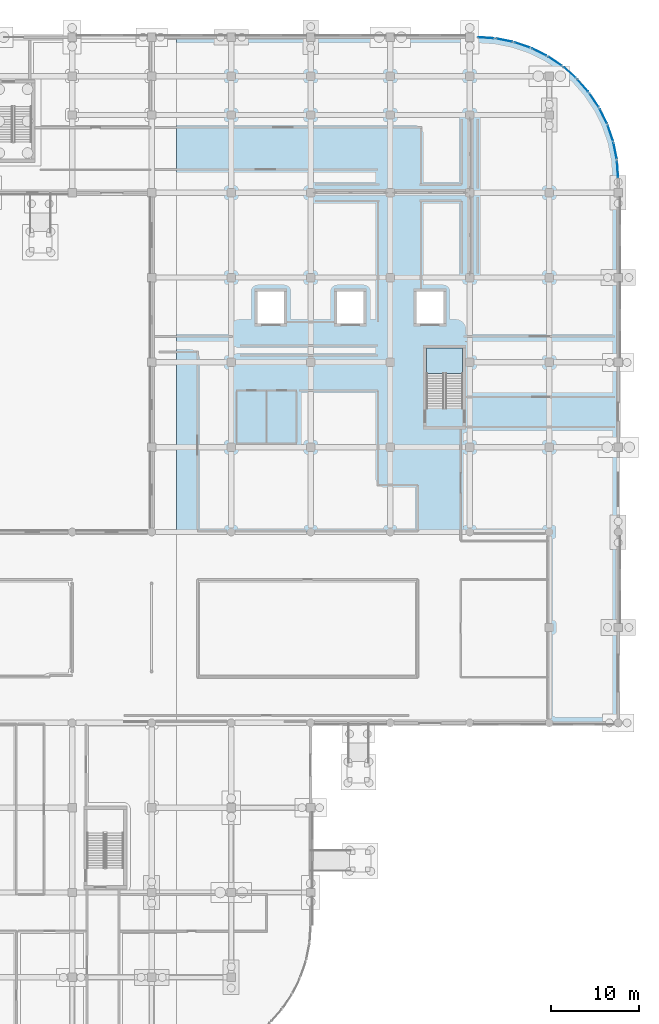
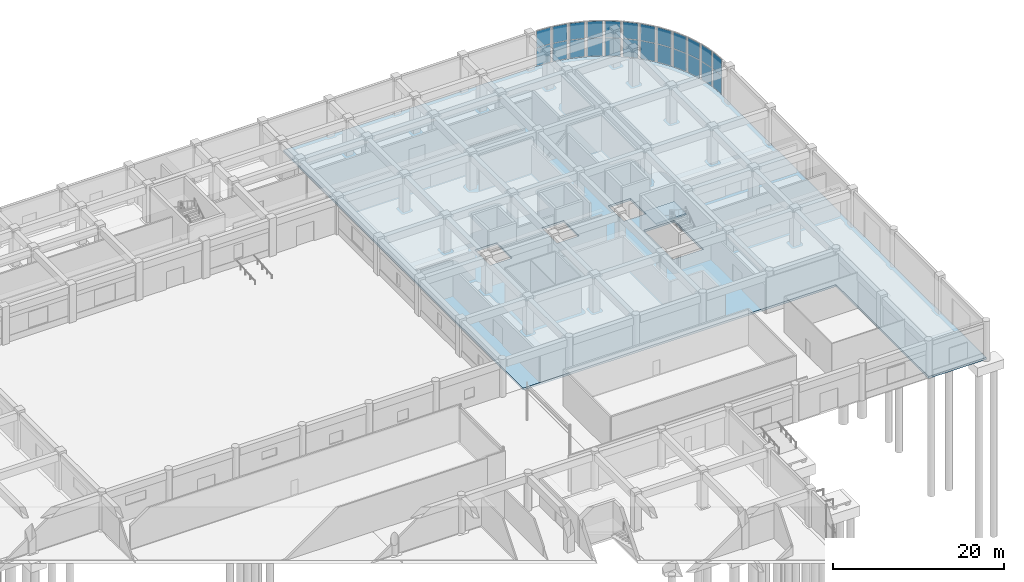
# One storey, part 24 of 74: 24 plates, 2 slabs, 13 elements without a shape of their own.
"""IFC4 building model written with IfcOpenShell, lengths in metres."""

from ifc_helpers import new_model, si_unit, direction, frame, origin, origin_2d, place, context, subcontext, project, spatial, polyline, rectangle, outline, extrude, material, layer, layer_set, type_object, element, aggregate, save


model = new_model("IFC4")

# Units and contexts
model_context = context("Model", 3, precision=1e-05, world=origin(), true_north=direction((0.0, 1.0)))
body_context = subcontext(model_context, "Body", "Model", "MODEL_VIEW")
ifc_project = project(units=[si_unit("LENGTHUNIT", "METRE"), si_unit("AREAUNIT", "SQUARE_METRE"), si_unit("VOLUMEUNIT", "CUBIC_METRE"), si_unit("PLANEANGLEUNIT", "RADIAN"), si_unit("MASSUNIT", "GRAM", prefix="KILO")], contexts=[model_context])

# Site, building, storey
site_placement = place(None, origin())
site = spatial("IfcSite", under=ifc_project, at=site_placement, CompositionType="ELEMENT")
building_placement = place(site_placement, origin())
building = spatial("IfcBuilding", under=site, at=building_placement, Name="Cendralis Terraced Arcade", CompositionType="ELEMENT")
storey_placement = place(building_placement, origin())
storey = spatial("IfcBuildingStorey", under=building, at=storey_placement, Name="L00", CompositionType="ELEMENT", Elevation=0.0)

# Curtain wall, plates
ifc_material_1 = material(Name="Anodised aluminium EN AW-6063 T6", Category="aluminium")
ifc_layer_1 = layer(ifc_material_1, 0.179931640625, Name="CW-UNIT-A")
ifc_layer_set_1 = layer_set([ifc_layer_1], Name="Anodised aluminium EN AW-6063 T6")
curtain_wall_type = type_object("IfcCurtainWallType", Name="CW-UNIT-A", PredefinedType="USERDEFINED", material=ifc_layer_set_1)
curtain_wall_1_placement = place(storey_placement, origin())
curtain_wall_1 = element("IfcCurtainWall", 1, at=curtain_wall_1_placement, inside=storey, type_object=curtain_wall_type, Name="Exterior Unitised Facade CW-L00-0025", ObjectType="UNITISED FACADE", PredefinedType="USERDEFINED")
ifc_material_2 = material(Name="Tempered solar control laminated glass", Category="glass")
ifc_layer_2 = layer(ifc_material_2, 0.035888671875, Name="CW-UNIT-A-PNL")
ifc_layer_set_2 = layer_set([ifc_layer_2], Name="Tempered solar control laminated glass")
plate_type = type_object("IfcPlateType", Name="CW-UNIT-A-PNL", PredefinedType="CURTAIN_PANEL", material=ifc_layer_set_2)
plate_1_placement = place(storey_placement, frame((159.044189453125, 115.931640625, 0.06494140625), z_axis=(0.0, 0.0, 1.0), x_axis=(0.997859242629, -0.065398256097, 0.0)))
plate_1 = element("IfcPlate", 2, at=plate_1_placement, type_object=plate_type, Name="CW-U1 panel 1.1", PredefinedType="CURTAIN_PANEL", context=body_context, shape_type="SweptSolid", body=[
    extrude(rectangle(XDim=1.782958984375, YDim=0.035888671875, at=origin_2d()), origin(), (0.0, 0.0, 1.0), 2.54931640625),
])
plate_2_placement = place(storey_placement, frame((159.044189453125, 115.931640625, 2.67919921875), z_axis=(0.0, 0.0, 1.0), x_axis=(0.997859242629, -0.065398256097, 0.0)))
plate_2 = element("IfcPlate", 3, at=plate_2_placement, type_object=plate_type, Name="CW-U1 panel 1.2", PredefinedType="CURTAIN_PANEL", context=body_context, shape_type="SweptSolid", body=[
    extrude(rectangle(XDim=1.782958984375, YDim=0.035888671875, at=origin_2d()), origin(), (0.0, 0.0, 1.0), 2.345703125),
])
aggregate(curtain_wall_1, [plate_1, plate_2])

curtain_wall_2_placement = place(storey_placement, origin())
curtain_wall_2 = element("IfcCurtainWall", 4, at=curtain_wall_2_placement, inside=storey, type_object=curtain_wall_type, Name="Exterior Unitised Facade CW-L00-0026", ObjectType="UNITISED FACADE", PredefinedType="USERDEFINED")
plate_3_placement = place(storey_placement, frame((161.11474609375, 115.658935546875, 0.06494140625), z_axis=(0.0, 0.0, 1.0), x_axis=(0.980793231232, -0.195050346244, 0.0)))
plate_3 = element("IfcPlate", 5, at=plate_3_placement, type_object=plate_type, Name="CW-U1 panel 1.1", PredefinedType="CURTAIN_PANEL", context=body_context, shape_type="SweptSolid", body=[
    extrude(rectangle(XDim=1.782958984375, YDim=0.035888671875, at=origin_2d()), origin(), (0.0, 0.0, 1.0), 2.54931640625),
])
plate_4_placement = place(storey_placement, frame((161.11474609375, 115.658935546875, 2.67919921875), z_axis=(0.0, 0.0, 1.0), x_axis=(0.980793231232, -0.195050346244, 0.0)))
plate_4 = element("IfcPlate", 6, at=plate_4_placement, type_object=plate_type, Name="CW-U1 panel 1.2", PredefinedType="CURTAIN_PANEL", context=body_context, shape_type="SweptSolid", body=[
    extrude(rectangle(XDim=1.782958984375, YDim=0.035888671875, at=origin_2d()), origin(), (0.0, 0.0, 1.0), 2.345703125),
])
aggregate(curtain_wall_2, [plate_3, plate_4])

curtain_wall_3_placement = place(storey_placement, origin())
curtain_wall_3 = element("IfcCurtainWall", 7, at=curtain_wall_3_placement, inside=storey, type_object=curtain_wall_type, Name="Exterior Unitised Facade CW-L00-0027", ObjectType="UNITISED FACADE", PredefinedType="USERDEFINED")
plate_5_placement = place(storey_placement, frame((163.132080078125, 115.118408203125, 0.06494140625), z_axis=(0.0, 0.0, 1.0), x_axis=(0.94692813167, -0.321445350645, 0.0)))
plate_5 = element("IfcPlate", 8, at=plate_5_placement, type_object=plate_type, Name="CW-U1 panel 1.1", PredefinedType="CURTAIN_PANEL", context=body_context, shape_type="SweptSolid", body=[
    extrude(rectangle(XDim=1.782958984375, YDim=0.035888671875, at=origin_2d()), origin(), (0.0, 0.0, 1.0), 2.54931640625),
])
plate_6_placement = place(storey_placement, frame((163.132080078125, 115.118408203125, 2.67919921875), z_axis=(0.0, 0.0, 1.0), x_axis=(0.94692813167, -0.321445350645, 0.0)))
plate_6 = element("IfcPlate", 9, at=plate_6_placement, type_object=plate_type, Name="CW-U1 panel 1.2", PredefinedType="CURTAIN_PANEL", context=body_context, shape_type="SweptSolid", body=[
    extrude(rectangle(XDim=1.782958984375, YDim=0.035888671875, at=origin_2d()), origin(), (0.0, 0.0, 1.0), 2.345703125),
])
aggregate(curtain_wall_3, [plate_5, plate_6])

curtain_wall_4_placement = place(storey_placement, origin())
curtain_wall_4 = element("IfcCurtainWall", 10, at=curtain_wall_4_placement, inside=storey, type_object=curtain_wall_type, Name="Exterior Unitised Facade CW-L00-0028", ObjectType="UNITISED FACADE", PredefinedType="USERDEFINED")
plate_7_placement = place(storey_placement, frame((165.0615234375, 114.3193359375, 0.06494140625), z_axis=(0.0, 0.0, 1.0), x_axis=(0.896870586522, -0.442293060122, 0.0)))
plate_7 = element("IfcPlate", 11, at=plate_7_placement, type_object=plate_type, Name="CW-U1 panel 1.1", PredefinedType="CURTAIN_PANEL", context=body_context, shape_type="SweptSolid", body=[
    extrude(rectangle(XDim=1.782958984375, YDim=0.035888671875, at=origin_2d()), origin(), (0.0, 0.0, 1.0), 2.54931640625),
])
plate_8_placement = place(storey_placement, frame((165.0615234375, 114.3193359375, 2.67919921875), z_axis=(0.0, 0.0, 1.0), x_axis=(0.896870586522, -0.442293060122, 0.0)))
plate_8 = element("IfcPlate", 12, at=plate_8_placement, type_object=plate_type, Name="CW-U1 panel 1.2", PredefinedType="CURTAIN_PANEL", context=body_context, shape_type="SweptSolid", body=[
    extrude(rectangle(XDim=1.782958984375, YDim=0.035888671875, at=origin_2d()), origin(), (0.0, 0.0, 1.0), 2.345703125),
])
aggregate(curtain_wall_4, [plate_7, plate_8])

curtain_wall_5_placement = place(storey_placement, origin())
curtain_wall_5 = element("IfcCurtainWall", 13, at=curtain_wall_5_placement, inside=storey, type_object=curtain_wall_type, Name="Exterior Unitised Facade CW-L00-0029", ObjectType="UNITISED FACADE", PredefinedType="USERDEFINED")
plate_9_placement = place(storey_placement, frame((166.8701171875, 113.275146484375, 0.06494140625), z_axis=(0.0, 0.0, 1.0), x_axis=(0.831494952872, -0.555532306305, 0.0)))
plate_9 = element("IfcPlate", 14, at=plate_9_placement, type_object=plate_type, Name="CW-U1 panel 1.1", PredefinedType="CURTAIN_PANEL", context=body_context, shape_type="SweptSolid", body=[
    extrude(rectangle(XDim=1.782958984375, YDim=0.035888671875, at=origin_2d()), origin(), (0.0, 0.0, 1.0), 2.54931640625),
])
plate_10_placement = place(storey_placement, frame((166.8701171875, 113.275146484375, 2.67919921875), z_axis=(0.0, 0.0, 1.0), x_axis=(0.831494952872, -0.555532306305, 0.0)))
plate_10 = element("IfcPlate", 15, at=plate_10_placement, type_object=plate_type, Name="CW-U1 panel 1.2", PredefinedType="CURTAIN_PANEL", context=body_context, shape_type="SweptSolid", body=[
    extrude(rectangle(XDim=1.782958984375, YDim=0.035888671875, at=origin_2d()), origin(), (0.0, 0.0, 1.0), 2.345703125),
])
aggregate(curtain_wall_5, [plate_9, plate_10])

curtain_wall_6_placement = place(storey_placement, origin())
curtain_wall_6 = element("IfcCurtainWall", 16, at=curtain_wall_6_placement, inside=storey, type_object=curtain_wall_type, Name="Exterior Unitised Facade CW-L00-0030", ObjectType="UNITISED FACADE", PredefinedType="USERDEFINED")
plate_11_placement = place(storey_placement, frame((168.52685546875, 112.003662109375, 0.06494140625), z_axis=(0.0, 0.0, 1.0), x_axis=(0.751782754392, -0.659410866, 0.0)))
plate_11 = element("IfcPlate", 17, at=plate_11_placement, type_object=plate_type, Name="CW-U1 panel 1.1", PredefinedType="CURTAIN_PANEL", context=body_context, shape_type="SweptSolid", body=[
    extrude(rectangle(XDim=1.782958984375, YDim=0.035888671875, at=origin_2d()), origin(), (0.0, 0.0, 1.0), 2.54931640625),
])
plate_12_placement = place(storey_placement, frame((168.52685546875, 112.003662109375, 2.67919921875), z_axis=(0.0, 0.0, 1.0), x_axis=(0.751782754392, -0.659410866, 0.0)))
plate_12 = element("IfcPlate", 18, at=plate_12_placement, type_object=plate_type, Name="CW-U1 panel 1.2", PredefinedType="CURTAIN_PANEL", context=body_context, shape_type="SweptSolid", body=[
    extrude(rectangle(XDim=1.782958984375, YDim=0.035888671875, at=origin_2d()), origin(), (0.0, 0.0, 1.0), 2.345703125),
])
aggregate(curtain_wall_6, [plate_11, plate_12])

curtain_wall_7_placement = place(storey_placement, origin())
curtain_wall_7 = element("IfcCurtainWall", 19, at=curtain_wall_7_placement, inside=storey, type_object=curtain_wall_type, Name="Exterior Unitised Facade CW-L00-0031", ObjectType="UNITISED FACADE", PredefinedType="USERDEFINED")
plate_13_placement = place(storey_placement, frame((170.003662109375, 110.52685546875, 0.06494140625), z_axis=(0.0, 0.0, 1.0), x_axis=(0.659410866, -0.751782754392, 0.0)))
plate_13 = element("IfcPlate", 20, at=plate_13_placement, type_object=plate_type, Name="CW-U1 panel 1.1", PredefinedType="CURTAIN_PANEL", context=body_context, shape_type="SweptSolid", body=[
    extrude(rectangle(XDim=1.782958984375, YDim=0.035888671875, at=origin_2d()), origin(), (0.0, 0.0, 1.0), 2.54931640625),
])
plate_14_placement = place(storey_placement, frame((170.003662109375, 110.52685546875, 2.67919921875), z_axis=(0.0, 0.0, 1.0), x_axis=(0.659410866, -0.751782754392, 0.0)))
plate_14 = element("IfcPlate", 21, at=plate_14_placement, type_object=plate_type, Name="CW-U1 panel 1.2", PredefinedType="CURTAIN_PANEL", context=body_context, shape_type="SweptSolid", body=[
    extrude(rectangle(XDim=1.782958984375, YDim=0.035888671875, at=origin_2d()), origin(), (0.0, 0.0, 1.0), 2.345703125),
])
aggregate(curtain_wall_7, [plate_13, plate_14])

curtain_wall_8_placement = place(storey_placement, origin())
curtain_wall_8 = element("IfcCurtainWall", 22, at=curtain_wall_8_placement, inside=storey, type_object=curtain_wall_type, Name="Exterior Unitised Facade CW-L00-0032", ObjectType="UNITISED FACADE", PredefinedType="USERDEFINED")
plate_15_placement = place(storey_placement, frame((171.275146484375, 108.8701171875, 0.06494140625), z_axis=(0.0, 0.0, 1.0), x_axis=(0.555532306305, -0.831494952872, 0.0)))
plate_15 = element("IfcPlate", 23, at=plate_15_placement, type_object=plate_type, Name="CW-U1 panel 1.1", PredefinedType="CURTAIN_PANEL", context=body_context, shape_type="SweptSolid", body=[
    extrude(rectangle(XDim=1.782958984375, YDim=0.035888671875, at=origin_2d()), origin(), (0.0, 0.0, 1.0), 2.54931640625),
])
plate_16_placement = place(storey_placement, frame((171.275146484375, 108.8701171875, 2.67919921875), z_axis=(0.0, 0.0, 1.0), x_axis=(0.555532306305, -0.831494952872, 0.0)))
plate_16 = element("IfcPlate", 24, at=plate_16_placement, type_object=plate_type, Name="CW-U1 panel 1.2", PredefinedType="CURTAIN_PANEL", context=body_context, shape_type="SweptSolid", body=[
    extrude(rectangle(XDim=1.782958984375, YDim=0.035888671875, at=origin_2d()), origin(), (0.0, 0.0, 1.0), 2.345703125),
])
aggregate(curtain_wall_8, [plate_15, plate_16])

curtain_wall_9_placement = place(storey_placement, origin())
curtain_wall_9 = element("IfcCurtainWall", 25, at=curtain_wall_9_placement, inside=storey, type_object=curtain_wall_type, Name="Exterior Unitised Facade CW-L00-0033", ObjectType="UNITISED FACADE", PredefinedType="USERDEFINED")
plate_17_placement = place(storey_placement, frame((172.3193359375, 107.0615234375, 0.06494140625), z_axis=(0.0, 0.0, 1.0), x_axis=(0.442293060122, -0.896870586522, 0.0)))
plate_17 = element("IfcPlate", 26, at=plate_17_placement, type_object=plate_type, Name="CW-U1 panel 1.1", PredefinedType="CURTAIN_PANEL", context=body_context, shape_type="SweptSolid", body=[
    extrude(rectangle(XDim=1.782958984375, YDim=0.035888671875, at=origin_2d()), origin(), (0.0, 0.0, 1.0), 2.54931640625),
])
plate_18_placement = place(storey_placement, frame((172.3193359375, 107.0615234375, 2.67919921875), z_axis=(0.0, 0.0, 1.0), x_axis=(0.442293060122, -0.896870586522, 0.0)))
plate_18 = element("IfcPlate", 27, at=plate_18_placement, type_object=plate_type, Name="CW-U1 panel 1.2", PredefinedType="CURTAIN_PANEL", context=body_context, shape_type="SweptSolid", body=[
    extrude(rectangle(XDim=1.782958984375, YDim=0.035888671875, at=origin_2d()), origin(), (0.0, 0.0, 1.0), 2.345703125),
])
aggregate(curtain_wall_9, [plate_17, plate_18])

curtain_wall_10_placement = place(storey_placement, origin())
curtain_wall_10 = element("IfcCurtainWall", 28, at=curtain_wall_10_placement, inside=storey, type_object=curtain_wall_type, Name="Exterior Unitised Facade CW-L00-0034", ObjectType="UNITISED FACADE", PredefinedType="USERDEFINED")
plate_19_placement = place(storey_placement, frame((173.118408203125, 105.132080078125, 0.06494140625), z_axis=(0.0, 0.0, 1.0), x_axis=(0.321445350645, -0.94692813167, 0.0)))
plate_19 = element("IfcPlate", 29, at=plate_19_placement, type_object=plate_type, Name="CW-U1 panel 1.1", PredefinedType="CURTAIN_PANEL", context=body_context, shape_type="SweptSolid", body=[
    extrude(rectangle(XDim=1.782958984375, YDim=0.035888671875, at=origin_2d()), origin(), (0.0, 0.0, 1.0), 2.54931640625),
])
plate_20_placement = place(storey_placement, frame((173.118408203125, 105.132080078125, 2.67919921875), z_axis=(0.0, 0.0, 1.0), x_axis=(0.321445350645, -0.94692813167, 0.0)))
plate_20 = element("IfcPlate", 30, at=plate_20_placement, type_object=plate_type, Name="CW-U1 panel 1.2", PredefinedType="CURTAIN_PANEL", context=body_context, shape_type="SweptSolid", body=[
    extrude(rectangle(XDim=1.782958984375, YDim=0.035888671875, at=origin_2d()), origin(), (0.0, 0.0, 1.0), 2.345703125),
])
aggregate(curtain_wall_10, [plate_19, plate_20])

curtain_wall_11_placement = place(storey_placement, origin())
curtain_wall_11 = element("IfcCurtainWall", 31, at=curtain_wall_11_placement, inside=storey, type_object=curtain_wall_type, Name="Exterior Unitised Facade CW-L00-0035", ObjectType="UNITISED FACADE", PredefinedType="USERDEFINED")
plate_21_placement = place(storey_placement, frame((173.658935546875, 103.11474609375, 0.06494140625), z_axis=(0.0, 0.0, 1.0), x_axis=(0.195050346244, -0.980793231232, 0.0)))
plate_21 = element("IfcPlate", 32, at=plate_21_placement, type_object=plate_type, Name="CW-U1 panel 1.1", PredefinedType="CURTAIN_PANEL", context=body_context, shape_type="SweptSolid", body=[
    extrude(rectangle(XDim=1.782958984375, YDim=0.035888671875, at=origin_2d()), origin(), (0.0, 0.0, 1.0), 2.54931640625),
])
plate_22_placement = place(storey_placement, frame((173.658935546875, 103.11474609375, 2.67919921875), z_axis=(0.0, 0.0, 1.0), x_axis=(0.195050346244, -0.980793231232, 0.0)))
plate_22 = element("IfcPlate", 33, at=plate_22_placement, type_object=plate_type, Name="CW-U1 panel 1.2", PredefinedType="CURTAIN_PANEL", context=body_context, shape_type="SweptSolid", body=[
    extrude(rectangle(XDim=1.782958984375, YDim=0.035888671875, at=origin_2d()), origin(), (0.0, 0.0, 1.0), 2.345703125),
])
aggregate(curtain_wall_11, [plate_21, plate_22])

curtain_wall_12_placement = place(storey_placement, origin())
curtain_wall_12 = element("IfcCurtainWall", 34, at=curtain_wall_12_placement, inside=storey, type_object=curtain_wall_type, Name="Exterior Unitised Facade CW-L00-0036", ObjectType="UNITISED FACADE", PredefinedType="USERDEFINED")
plate_23_placement = place(storey_placement, frame((173.931640625, 101.044189453125, 0.06494140625), z_axis=(0.0, 0.0, 1.0), x_axis=(0.065398256097, -0.997859242629, 0.0)))
plate_23 = element("IfcPlate", 35, at=plate_23_placement, type_object=plate_type, Name="CW-U1 panel 1.1", PredefinedType="CURTAIN_PANEL", context=body_context, shape_type="SweptSolid", body=[
    extrude(rectangle(XDim=1.782958984375, YDim=0.035888671875, at=origin_2d()), origin(), (0.0, 0.0, 1.0), 2.54931640625),
])
plate_24_placement = place(storey_placement, frame((173.931640625, 101.044189453125, 2.67919921875), z_axis=(0.0, 0.0, 1.0), x_axis=(0.065398256097, -0.997859242629, 0.0)))
plate_24 = element("IfcPlate", 36, at=plate_24_placement, type_object=plate_type, Name="CW-U1 panel 1.2", PredefinedType="CURTAIN_PANEL", context=body_context, shape_type="SweptSolid", body=[
    extrude(rectangle(XDim=1.782958984375, YDim=0.035888671875, at=origin_2d()), origin(), (0.0, 0.0, 1.0), 2.345703125),
])
aggregate(curtain_wall_12, [plate_23, plate_24])

# Slab
ifc_material_3 = material(Name="Concrete f'c 35 MPa", Category="concrete")
ifc_layer_3 = layer(ifc_material_3, 0.300048828125, Name="SLB-L00-300")
ifc_layer_set_3 = layer_set([ifc_layer_3], Name="Concrete f'c 35 MPa")
slab_type_1 = type_object("IfcSlabType", Name="SLB-L00-300", PredefinedType="FLOOR", material=ifc_layer_set_3)
slab_1_placement = place(storey_placement, frame((0.0, 0.0, -0.300048828125)))
element("IfcSlab", 37, at=slab_1_placement, inside=storey, type_object=slab_type_1, Name="Reinforced Concrete Floor Slab SLB-L00-V5-E1-1", PredefinedType="FLOOR", context=body_context, shape_type="SweptSolid", body=[
    extrude(outline(polyline([(158.0, 116.0), (160.08837890625, 115.863037109375), (162.14111328125, 115.454833984375), (164.122802734375, 114.781982421875), (166.0, 113.8564453125), (167.740234375, 112.693603515625), (169.313720703125, 111.313720703125), (170.693603515625, 109.740234375), (171.8564453125, 108.0), (172.781982421875, 106.122802734375), (173.454833984375, 104.14111328125), (173.863037109375, 102.08837890625), (174.0, 100.0), (174.0, 38.39990234375), (166.219970703125, 38.39990234375), (166.219970703125, 60.02001953125), (124.02001953125, 60.02001953125), (124.02001953125, 116.0), (158.0, 116.0)]), holes=[polyline([(152.300048828125, 80.800048828125), (152.300048828125, 73.97998046875), (156.39990234375, 73.97998046875), (156.39990234375, 80.800048828125), (152.300048828125, 80.800048828125)]), polyline([(133.199951171875, 87.199951171875), (133.199951171875, 83.60009765625), (136.199951171875, 83.60009765625), (136.199951171875, 87.199951171875), (133.199951171875, 87.199951171875)]), polyline([(145.199951171875, 87.199951171875), (142.199951171875, 87.199951171875), (142.199951171875, 83.60009765625), (145.199951171875, 83.60009765625), (145.199951171875, 87.199951171875)]), polyline([(154.199951171875, 87.199951171875), (151.199951171875, 87.199951171875), (151.199951171875, 83.60009765625), (154.199951171875, 83.60009765625), (154.199951171875, 87.199951171875)])]), origin(), (0.0, 0.0, 1.0), 0.300048828125),
])

# Stair, slab
stair_type = type_object("IfcStairType", Name="STR-W195-H480", PredefinedType="HALF_TURN_STAIR", material=ifc_material_3)
stair_placement = place(storey_placement, origin())
stair = element("IfcStair", 38, at=stair_placement, inside=storey, type_object=stair_type, Name="L00 Protected Exit Stair ST-06", PredefinedType="HALF_TURN_STAIR")
ifc_layer_4 = layer(ifc_material_3, 0.199951171875, Name="SLB-STAIR-LND-200")
ifc_layer_set_4 = layer_set([ifc_layer_4], Name="Concrete f'c 35 MPa")
slab_type_2 = type_object("IfcSlabType", Name="SLB-STAIR-LND-200", PredefinedType="LANDING", material=ifc_layer_set_4)
slab_2_placement = place(storey_placement, frame((0.0, 0.0, 2.5)))
slab_2 = element("IfcSlab", 39, at=slab_2_placement, type_object=slab_type_2, Name="ST-06 landing 1", PredefinedType="LANDING", context=body_context, shape_type="SweptSolid", body=[
    extrude(outline(polyline([(156.39990234375, 77.93994140625), (156.39990234375, 80.800048828125), (152.300048828125, 80.800048828125), (152.300048828125, 77.93994140625), (156.39990234375, 77.93994140625)])), origin(), (0.0, 0.0, 1.0), 0.199951171875),
])
aggregate(stair, [slab_2])

save(model, "model.ifc")
